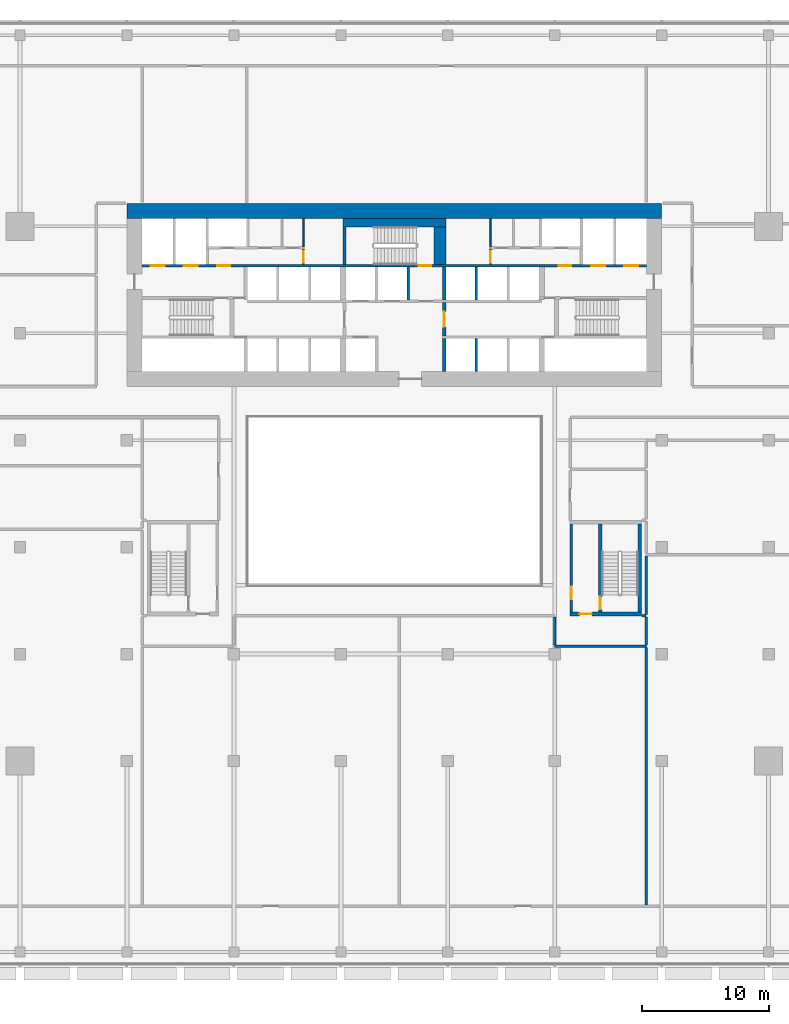
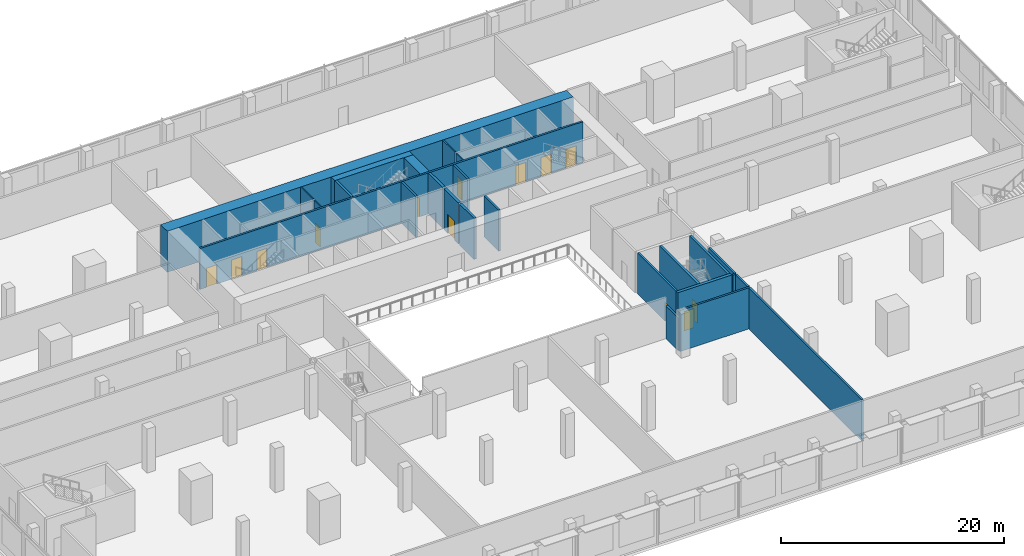
# One storey, part 29 of 39: 25 walls, 13 doors, 13 openings.
"""IFC4 building model written with IfcOpenShell, lengths in metres."""

from ifc_helpers import new_model, si_unit, direction, frame, frame_2d, origin, place, context, subcontext, project, spatial, rectangle, extrude, material, layer, layer_set, type_object, element, fill, save


model = new_model("IFC4")

# Units and contexts
model_context = context("Model", 3, precision=1e-05, world=origin(), true_north=direction((0.0, 1.0)))
body_context = subcontext(model_context, "Body", "Model", "MODEL_VIEW")
ifc_project = project(units=[si_unit("LENGTHUNIT", "METRE"), si_unit("AREAUNIT", "SQUARE_METRE"), si_unit("VOLUMEUNIT", "CUBIC_METRE"), si_unit("PLANEANGLEUNIT", "RADIAN"), si_unit("MASSUNIT", "GRAM", prefix="KILO")], contexts=[model_context])

# Site, building, storey
site_placement = place(None, origin())
site = spatial("IfcSite", under=ifc_project, at=site_placement, CompositionType="ELEMENT")
building_placement = place(site_placement, origin())
building = spatial("IfcBuilding", under=site, at=building_placement, Name="Saffron Gate Tower", CompositionType="ELEMENT")
storey_placement = place(building_placement, frame((0.0, 0.0, 14.39990234375)))
storey = spatial("IfcBuildingStorey", under=building, at=storey_placement, Name="L02", CompositionType="ELEMENT", Elevation=14.39990234375)

# Wall
ifc_material_1 = material(Name="Concrete C70", Category="concrete")
ifc_layer_1 = layer(ifc_material_1, 1.199951171875)
ifc_layer_set_1 = layer_set([ifc_layer_1], Name="CW1 RC core wall 1200 C70")
wall_type_1 = type_object("IfcWallType", Name="CW1 RC core wall 1200 C70", PredefinedType="SOLIDWALL", material=ifc_layer_set_1)
wall_1_placement = place(storey_placement, frame((66.60009765625, 75.0, 0.0), z_axis=(0.0, 0.0, 1.0), x_axis=(1.0, 0.0, 0.0)))
element("IfcWall", 1, at=wall_1_placement, inside=storey, type_object=wall_type_1, Name="Wall CW1-L02-2", PredefinedType="SOLIDWALL", context=body_context, shape_type="SweptSolid", body=[
    extrude(rectangle(XDim=42.0, YDim=1.199951171875, at=frame_2d((21.0, 0.0))), origin(), (0.0, 0.0, 1.0), 4.5),
])

# Wall, opening, door
ifc_material_2 = material(Name="Gypsum board partition on steel studs", Category="steel")
ifc_layer_2 = layer(ifc_material_2, 0.199951171875)
ifc_layer_set_2 = layer_set([ifc_layer_2], Name="CW10 Core partition 200")
wall_type_2 = type_object("IfcWallType", Name="CW10 Core partition 200", PredefinedType="PARTITIONING", material=ifc_layer_set_2)
wall_2_placement = place(storey_placement, frame((101.5, 43.5, 0.0), z_axis=(0.0, 0.0, 1.0), x_axis=(0.0, 1.0, 0.0)))
wall_2 = element("IfcWall", 2, at=wall_2_placement, inside=storey, type_object=wall_type_2, Name="Wall CW10-L02-E-2", PredefinedType="PARTITIONING", context=body_context, shape_type="SweptSolid", body=[
    extrude(rectangle(XDim=6.89990234375, YDim=0.199951171875, at=frame_2d((3.449951171875, 0.0))), origin(), (0.0, 0.0, 1.0), 4.5),
])
opening_1_placement = place(wall_2_placement, frame((1.0, 0.0, 0.0)))
opening_1 = element("IfcOpeningElement", 3, at=opening_1_placement, cuts=wall_2, Name="Opening CR-22", PredefinedType="OPENING", context=body_context, shape_type="SweptSolid", body=[
    extrude(rectangle(XDim=1.0, YDim=2.10009765625, at=frame_2d((0.5, 1.050048828125))), frame((0.0, 0.10986328125, 0.0), z_axis=(0.0, -1.0, 0.0), x_axis=(1.0, 0.0, 0.0)), (0.0, 0.0, 1.0), 0.219970703125),
])
ifc_material_3 = material(Name="Steel fire door set", Category="steel")
door_type_1 = type_object("IfcDoorType", Name="CD4 Lobby door 1000x2100 EI 120", OperationType="NOTDEFINED", PredefinedType="DOOR", material=ifc_material_3)
door_1_placement = place(opening_1_placement, origin())
door_1 = element("IfcDoor", 4, at=door_1_placement, inside=storey, type_object=door_type_1, Name="DOOR CR-22", OperationType="SINGLE_SWING_LEFT", OverallHeight=2.10009765625, OverallWidth=1.0, PredefinedType="DOOR", context=body_context, shape_type="SweptSolid", body=[
    extrude(rectangle(XDim=1.0, YDim=2.10009765625, at=frame_2d((0.5, 1.050048828125))), frame((0.0, 0.02490234375, 0.0), z_axis=(0.0, -1.0, 0.0), x_axis=(1.0, 0.0, 0.0)), (0.0, 0.0, 1.0), 0.050048828125),
])
fill(opening_1, door_1)

# Wall
ifc_layer_3 = layer(ifc_material_1, 0.25)
ifc_layer_set_3 = layer_set([ifc_layer_3], Name="CW2 RC core wall 250 C70")
wall_type_3 = type_object("IfcWallType", Name="CW2 RC core wall 250 C70", PredefinedType="SOLIDWALL", material=ifc_layer_set_3)
wall_3_placement = place(storey_placement, frame((91.52490234375, 62.39990234375, 0.0), z_axis=(0.0, 0.0, 1.0), x_axis=(0.0, 1.0, 0.0)))
element("IfcWall", 5, at=wall_3_placement, inside=storey, type_object=wall_type_3, Name="Wall CW2-L02-10", PredefinedType="SOLIDWALL", context=body_context, shape_type="SweptSolid", body=[
    extrude(rectangle(XDim=2.60009765625, YDim=0.25, at=frame_2d((1.300048828125, 0.0))), origin(), (0.0, 0.0, 1.0), 4.5),
])

# Wall, opening, door
wall_4_placement = place(storey_placement, frame((91.52490234375, 65.199951171875, 0.0), z_axis=(0.0, 0.0, 1.0), x_axis=(0.0, 1.0, 0.0)))
wall_4 = element("IfcWall", 6, at=wall_4_placement, inside=storey, type_object=wall_type_3, Name="Wall CW2-L02-18", PredefinedType="SOLIDWALL", context=body_context, shape_type="SweptSolid", body=[
    extrude(rectangle(XDim=2.60009765625, YDim=0.25, at=frame_2d((1.300048828125, 0.0))), origin(), (0.0, 0.0, 1.0), 4.5),
])
opening_2_placement = place(wall_4_placement, frame((0.699951171875, 0.0, 0.0)))
opening_2 = element("IfcOpeningElement", 7, at=opening_2_placement, cuts=wall_4, Name="Opening CR-01", PredefinedType="OPENING", context=body_context, shape_type="SweptSolid", body=[
    extrude(rectangle(XDim=1.199951171875, YDim=2.10009765625, at=frame_2d((0.60009765625, 1.050048828125))), frame((0.0, 0.135009765625, 0.0), z_axis=(0.0, -1.0, 0.0), x_axis=(1.0, 0.0, 0.0)), (0.0, 0.0, 1.0), 0.27001953125),
])
door_type_2 = type_object("IfcDoorType", Name="CD3 Lobby door 1200x2100 EI 120", OperationType="NOTDEFINED", PredefinedType="DOOR", material=ifc_material_3)
door_2_placement = place(opening_2_placement, origin())
door_2 = element("IfcDoor", 8, at=door_2_placement, inside=storey, type_object=door_type_2, Name="DOOR CR-01", OperationType="SINGLE_SWING_RIGHT", OverallHeight=2.10009765625, OverallWidth=1.199951171875, PredefinedType="DOOR", context=body_context, shape_type="SweptSolid", body=[
    extrude(rectangle(XDim=1.199951171875, YDim=2.10009765625, at=frame_2d((0.60009765625, 1.050048828125))), frame((0.0, 0.02490234375, 0.0), z_axis=(0.0, -1.0, 0.0), x_axis=(1.0, 0.0, 0.0)), (0.0, 0.0, 1.0), 0.050048828125),
])
fill(opening_2, door_2)

# Walls
wall_5_placement = place(storey_placement, frame((91.52490234375, 68.0, 0.0), z_axis=(0.0, 0.0, 1.0), x_axis=(0.0, 1.0, 0.0)))
element("IfcWall", 9, at=wall_5_placement, inside=storey, type_object=wall_type_3, Name="Wall CW2-L02-26", PredefinedType="SOLIDWALL", context=body_context, shape_type="SweptSolid", body=[
    extrude(rectangle(XDim=2.60009765625, YDim=0.25, at=frame_2d((1.300048828125, 0.0))), origin(), (0.0, 0.0, 1.0), 4.5),
])
wall_6_placement = place(storey_placement, frame((83.675048828125, 70.800048828125, 0.0), z_axis=(0.0, 0.0, 1.0), x_axis=(0.0, 1.0, 0.0)))
element("IfcWall", 10, at=wall_6_placement, inside=storey, type_object=wall_type_3, Name="Wall CW2-L02-38", PredefinedType="SOLIDWALL", context=body_context, shape_type="SweptSolid", body=[
    extrude(rectangle(XDim=2.949951171875, YDim=0.25, at=frame_2d((1.47509765625, 0.0))), origin(), (0.0, 0.0, 1.0), 4.5),
])

# Wall, opening, door
wall_7_placement = place(storey_placement, frame((103.77490234375, 43.5, 0.0), z_axis=(0.0, 0.0, 1.0), x_axis=(0.0, 1.0, 0.0)))
wall_7 = element("IfcWall", 11, at=wall_7_placement, inside=storey, type_object=wall_type_3, Name="Wall CW2-L02-E-3", PredefinedType="SOLIDWALL", context=body_context, shape_type="SweptSolid", body=[
    extrude(rectangle(XDim=6.89990234375, YDim=0.25, at=frame_2d((3.449951171875, 0.0))), origin(), (0.0, 0.0, 1.0), 4.5),
])
opening_3_placement = place(wall_7_placement, frame((0.199951171875, 0.0, 0.0)))
opening_3 = element("IfcOpeningElement", 12, at=opening_3_placement, cuts=wall_7, Name="Opening CR-23", PredefinedType="OPENING", context=body_context, shape_type="SweptSolid", body=[
    extrude(rectangle(XDim=1.0, YDim=2.10009765625, at=frame_2d((0.5, 1.050048828125))), frame((0.0, 0.135009765625, 0.0), z_axis=(0.0, -1.0, 0.0), x_axis=(1.0, 0.0, 0.0)), (0.0, 0.0, 1.0), 0.27001953125),
])
door_type_3 = type_object("IfcDoorType", Name="CD5 Stair door 1000x2100 EI 120", OperationType="NOTDEFINED", PredefinedType="DOOR", material=ifc_material_3)
door_3_placement = place(opening_3_placement, origin())
door_3 = element("IfcDoor", 13, at=door_3_placement, inside=storey, type_object=door_type_3, Name="DOOR CR-23", OperationType="SINGLE_SWING_RIGHT", OverallHeight=2.10009765625, OverallWidth=1.0, PredefinedType="DOOR", context=body_context, shape_type="SweptSolid", body=[
    extrude(rectangle(XDim=1.0, YDim=2.10009765625, at=frame_2d((0.5, 1.050048828125))), frame((0.0, 0.02490234375, 0.0), z_axis=(0.0, -1.0, 0.0), x_axis=(1.0, 0.0, 0.0)), (0.0, 0.0, 1.0), 0.050048828125),
])
fill(opening_3, door_3)

# Walls
wall_8_placement = place(storey_placement, frame((106.875, 43.5, 0.0), z_axis=(0.0, 0.0, 1.0), x_axis=(0.0, 1.0, 0.0)))
element("IfcWall", 14, at=wall_8_placement, inside=storey, type_object=wall_type_3, Name="Wall CW2-L02-E-4", PredefinedType="SOLIDWALL", context=body_context, shape_type="SweptSolid", body=[
    extrude(rectangle(XDim=6.89990234375, YDim=0.25, at=frame_2d((3.449951171875, 0.0))), origin(), (0.0, 0.0, 1.0), 4.5),
])
ifc_layer_4 = layer(ifc_material_1, 0.199951171875)
ifc_layer_set_4 = layer_set([ifc_layer_4], Name="CW3 RC core wall 200 C70")
wall_type_4 = type_object("IfcWallType", Name="CW3 RC core wall 200 C70", PredefinedType="SOLIDWALL", material=ifc_layer_set_4)
for number, where, z_axis, x_axis, name in (
    (15, (94.050048828125, 62.39990234375, 0.0), (0.0, 0.0, 1.0), (0.0, 1.0, 0.0), "Wall CW3-L02-11"),
    (16, (88.699951171875, 68.0, 0.0), (0.0, 0.0, 1.0), (0.0, 1.0, 0.0), "Wall CW3-L02-25"),
    (17, (94.050048828125, 68.0, 0.0), (0.0, 0.0, 1.0), (0.0, 1.0, 0.0), "Wall CW3-L02-27"),
):
    element("IfcWall", number, at=place(storey_placement, frame(where, z_axis=z_axis, x_axis=x_axis)), inside=storey, type_object=wall_type_4, Name=name, PredefinedType="SOLIDWALL", context=body_context, shape_type="SweptSolid", body=[
        extrude(rectangle(XDim=2.60009765625, YDim=0.199951171875, at=frame_2d((1.300048828125, 0.0))), origin(), (0.0, 0.0, 1.0), 4.5),
    ])

# Wall, openings, doors
wall_9_placement = place(storey_placement, frame((67.800048828125, 70.699951171875, 0.0), z_axis=(0.0, 0.0, 1.0), x_axis=(1.0, 0.0, 0.0)))
wall_9 = element("IfcWall", 18, at=wall_9_placement, inside=storey, type_object=wall_type_4, Name="Wall CW3-L02-34", PredefinedType="SOLIDWALL", context=body_context, shape_type="SweptSolid", body=[
    extrude(rectangle(XDim=39.599853515625, YDim=0.199951171875, at=frame_2d((19.7998046875, 0.0))), origin(), (0.0, 0.0, 1.0), 4.5),
])
opening_4_placement = place(wall_9_placement, frame((0.64990234375, 0.0, 0.0)))
opening_4 = element("IfcOpeningElement", 19, at=opening_4_placement, cuts=wall_9, Name="Opening LD-FF1", PredefinedType="OPENING", context=body_context, shape_type="SweptSolid", body=[
    extrude(rectangle(XDim=1.10009765625, YDim=2.10009765625, at=frame_2d((0.550048828125, 1.050048828125))), frame((0.0, 0.10986328125, 0.0), z_axis=(0.0, -1.0, 0.0), x_axis=(1.0, 0.0, 0.0)), (0.0, 0.0, 1.0), 0.219970703125),
])
opening_5_placement = place(wall_9_placement, frame((3.25, 0.0, 0.0)))
opening_5 = element("IfcOpeningElement", 20, at=opening_5_placement, cuts=wall_9, Name="Opening LD-SV1", PredefinedType="OPENING", context=body_context, shape_type="SweptSolid", body=[
    extrude(rectangle(XDim=1.10009765625, YDim=2.10009765625, at=frame_2d((0.550048828125, 1.050048828125))), frame((0.0, 0.10986328125, 0.0), z_axis=(0.0, -1.0, 0.0), x_axis=(1.0, 0.0, 0.0)), (0.0, 0.0, 1.0), 0.219970703125),
])
opening_6_placement = place(wall_9_placement, frame((5.89990234375, 0.0, 0.0)))
opening_6 = element("IfcOpeningElement", 21, at=opening_6_placement, cuts=wall_9, Name="Opening CR-03", PredefinedType="OPENING", context=body_context, shape_type="SweptSolid", body=[
    extrude(rectangle(XDim=1.0, YDim=2.10009765625, at=frame_2d((0.5, 1.050048828125))), frame((0.0, 0.10986328125, 0.0), z_axis=(0.0, -1.0, 0.0), x_axis=(1.0, 0.0, 0.0)), (0.0, 0.0, 1.0), 0.219970703125),
])
opening_7_placement = place(wall_9_placement, frame((21.699951171875, 0.0, 0.0)))
opening_7 = element("IfcOpeningElement", 22, at=opening_7_placement, cuts=wall_9, Name="Opening CR-17", PredefinedType="OPENING", context=body_context, shape_type="SweptSolid", body=[
    extrude(rectangle(XDim=1.0, YDim=2.10009765625, at=frame_2d((0.5, 1.050048828125))), frame((0.0, 0.10986328125, 0.0), z_axis=(0.0, -1.0, 0.0), x_axis=(1.0, 0.0, 0.0)), (0.0, 0.0, 1.0), 0.219970703125),
])
opening_8_placement = place(wall_9_placement, frame((32.699951171875, 0.0, 0.0)))
opening_8 = element("IfcOpeningElement", 23, at=opening_8_placement, cuts=wall_9, Name="Opening CR-04", PredefinedType="OPENING", context=body_context, shape_type="SweptSolid", body=[
    extrude(rectangle(XDim=1.0, YDim=2.10009765625, at=frame_2d((0.5, 1.050048828125))), frame((0.0, 0.10986328125, 0.0), z_axis=(0.0, -1.0, 0.0), x_axis=(1.0, 0.0, 0.0)), (0.0, 0.0, 1.0), 0.219970703125),
])
opening_9_placement = place(wall_9_placement, frame((35.25, 0.0, 0.0)))
opening_9 = element("IfcOpeningElement", 24, at=opening_9_placement, cuts=wall_9, Name="Opening LD-SV2", PredefinedType="OPENING", context=body_context, shape_type="SweptSolid", body=[
    extrude(rectangle(XDim=1.10009765625, YDim=2.10009765625, at=frame_2d((0.550048828125, 1.050048828125))), frame((0.0, 0.10986328125, 0.0), z_axis=(0.0, -1.0, 0.0), x_axis=(1.0, 0.0, 0.0)), (0.0, 0.0, 1.0), 0.219970703125),
])
opening_10_placement = place(wall_9_placement, frame((37.85009765625, 0.0, 0.0)))
opening_10 = element("IfcOpeningElement", 25, at=opening_10_placement, cuts=wall_9, Name="Opening LD-FF2", PredefinedType="OPENING", context=body_context, shape_type="SweptSolid", body=[
    extrude(rectangle(XDim=1.10009765625, YDim=2.10009765625, at=frame_2d((0.550048828125, 1.050048828125))), frame((0.0, 0.10986328125, 0.0), z_axis=(0.0, -1.0, 0.0), x_axis=(1.0, 0.0, 0.0)), (0.0, 0.0, 1.0), 0.219970703125),
])
door_4_placement = place(opening_6_placement, origin())
door_4 = element("IfcDoor", 26, at=door_4_placement, inside=storey, type_object=door_type_1, Name="DOOR CR-03", OperationType="SINGLE_SWING_LEFT", OverallHeight=2.10009765625, OverallWidth=1.0, PredefinedType="DOOR", context=body_context, shape_type="SweptSolid", body=[
    extrude(rectangle(XDim=1.0, YDim=2.10009765625, at=frame_2d((0.5, 1.050048828125))), frame((0.0, 0.02490234375, 0.0), z_axis=(0.0, -1.0, 0.0), x_axis=(1.0, 0.0, 0.0)), (0.0, 0.0, 1.0), 0.050048828125),
])
fill(opening_6, door_4)
door_5_placement = place(opening_8_placement, origin())
door_5 = element("IfcDoor", 27, at=door_5_placement, inside=storey, type_object=door_type_1, Name="DOOR CR-04", OperationType="SINGLE_SWING_RIGHT", OverallHeight=2.10009765625, OverallWidth=1.0, PredefinedType="DOOR", context=body_context, shape_type="SweptSolid", body=[
    extrude(rectangle(XDim=1.0, YDim=2.10009765625, at=frame_2d((0.5, 1.050048828125))), frame((0.0, 0.02490234375, 0.0), z_axis=(0.0, -1.0, 0.0), x_axis=(1.0, 0.0, 0.0)), (0.0, 0.0, 1.0), 0.050048828125),
])
fill(opening_8, door_5)
door_6_placement = place(opening_7_placement, origin())
door_6 = element("IfcDoor", 28, at=door_6_placement, inside=storey, type_object=door_type_3, Name="DOOR CR-17", OperationType="SINGLE_SWING_RIGHT", OverallHeight=2.10009765625, OverallWidth=1.0, PredefinedType="DOOR", context=body_context, shape_type="SweptSolid", body=[
    extrude(rectangle(XDim=1.0, YDim=2.10009765625, at=frame_2d((0.5, 1.050048828125))), frame((0.0, 0.02490234375, 0.0), z_axis=(0.0, -1.0, 0.0), x_axis=(1.0, 0.0, 0.0)), (0.0, 0.0, 1.0), 0.050048828125),
])
fill(opening_7, door_6)
ifc_material_4 = material(Name="Stainless steel landing door", Category="steel")
door_type_4 = type_object("IfcDoorType", Name="LD Lift landing door 1100x2100 EI 120", OperationType="SLIDING_TO_LEFT", PredefinedType="DOOR", material=ifc_material_4)
door_7_placement = place(opening_4_placement, origin())
door_7 = element("IfcDoor", 29, at=door_7_placement, inside=storey, type_object=door_type_4, Name="LANDING DOOR LD-FF1", OperationType="SLIDING_TO_RIGHT", OverallHeight=2.10009765625, OverallWidth=1.10009765625, PredefinedType="DOOR", context=body_context, shape_type="SweptSolid", body=[
    extrude(rectangle(XDim=1.10009765625, YDim=2.10009765625, at=frame_2d((0.550048828125, 1.050048828125))), frame((0.0, 0.02490234375, 0.0), z_axis=(0.0, -1.0, 0.0), x_axis=(1.0, 0.0, 0.0)), (0.0, 0.0, 1.0), 0.050048828125),
])
fill(opening_4, door_7)
door_8_placement = place(opening_5_placement, origin())
door_8 = element("IfcDoor", 30, at=door_8_placement, inside=storey, type_object=door_type_4, Name="LANDING DOOR LD-SV1", OperationType="SLIDING_TO_RIGHT", OverallHeight=2.10009765625, OverallWidth=1.10009765625, PredefinedType="DOOR", context=body_context, shape_type="SweptSolid", body=[
    extrude(rectangle(XDim=1.10009765625, YDim=2.10009765625, at=frame_2d((0.550048828125, 1.050048828125))), frame((0.0, 0.02490234375, 0.0), z_axis=(0.0, -1.0, 0.0), x_axis=(1.0, 0.0, 0.0)), (0.0, 0.0, 1.0), 0.050048828125),
])
fill(opening_5, door_8)
door_9_placement = place(opening_9_placement, origin())
door_9 = element("IfcDoor", 31, at=door_9_placement, inside=storey, type_object=door_type_4, Name="LANDING DOOR LD-SV2", OperationType="SLIDING_TO_RIGHT", OverallHeight=2.10009765625, OverallWidth=1.10009765625, PredefinedType="DOOR", context=body_context, shape_type="SweptSolid", body=[
    extrude(rectangle(XDim=1.10009765625, YDim=2.10009765625, at=frame_2d((0.550048828125, 1.050048828125))), frame((0.0, 0.02490234375, 0.0), z_axis=(0.0, -1.0, 0.0), x_axis=(1.0, 0.0, 0.0)), (0.0, 0.0, 1.0), 0.050048828125),
])
fill(opening_9, door_9)
door_10_placement = place(opening_10_placement, origin())
door_10 = element("IfcDoor", 32, at=door_10_placement, inside=storey, type_object=door_type_4, Name="LANDING DOOR LD-FF2", OperationType="SLIDING_TO_RIGHT", OverallHeight=2.10009765625, OverallWidth=1.10009765625, PredefinedType="DOOR", context=body_context, shape_type="SweptSolid", body=[
    extrude(rectangle(XDim=1.10009765625, YDim=2.10009765625, at=frame_2d((0.550048828125, 1.050048828125))), frame((0.0, 0.02490234375, 0.0), z_axis=(0.0, -1.0, 0.0), x_axis=(1.0, 0.0, 0.0)), (0.0, 0.0, 1.0), 0.050048828125),
])
fill(opening_10, door_10)

# Wall, opening, door
ifc_layer_5 = layer(ifc_material_1, 0.300048828125)
ifc_layer_set_5 = layer_set([ifc_layer_5], Name="CW5 RC core wall 300 C70")
wall_type_5 = type_object("IfcWallType", Name="CW5 RC core wall 300 C70", PredefinedType="SOLIDWALL", material=ifc_layer_set_5)
wall_10_placement = place(storey_placement, frame((101.39990234375, 43.35009765625, 0.0), z_axis=(0.0, 0.0, 1.0), x_axis=(1.0, 0.0, 0.0)))
wall_10 = element("IfcWall", 33, at=wall_10_placement, inside=storey, type_object=wall_type_5, Name="Wall CW5-L02-E-1", PredefinedType="SOLIDWALL", context=body_context, shape_type="SweptSolid", body=[
    extrude(rectangle(XDim=5.60009765625, YDim=0.300048828125, at=frame_2d((2.800048828125, 0.0))), origin(), (0.0, 0.0, 1.0), 4.5),
])
opening_11_placement = place(wall_10_placement, frame((0.72509765625, 0.0, 0.0)))
opening_11 = element("IfcOpeningElement", 34, at=opening_11_placement, cuts=wall_10, Name="Opening CR-21", PredefinedType="OPENING", context=body_context, shape_type="SweptSolid", body=[
    extrude(rectangle(XDim=1.0, YDim=2.10009765625, at=frame_2d((0.5, 1.050048828125))), frame((0.0, 0.16015625, 0.0), z_axis=(0.0, -1.0, 0.0), x_axis=(1.0, 0.0, 0.0)), (0.0, 0.0, 1.0), 0.320068359375),
])
door_11_placement = place(opening_11_placement, origin())
door_11 = element("IfcDoor", 35, at=door_11_placement, inside=storey, type_object=door_type_1, Name="DOOR CR-21", OperationType="SINGLE_SWING_RIGHT", OverallHeight=2.10009765625, OverallWidth=1.0, PredefinedType="DOOR", context=body_context, shape_type="SweptSolid", body=[
    extrude(rectangle(XDim=1.0, YDim=2.10009765625, at=frame_2d((0.5, 1.050048828125))), frame((0.0, 0.02490234375, 0.0), z_axis=(0.0, -1.0, 0.0), x_axis=(1.0, 0.0, 0.0)), (0.0, 0.0, 1.0), 0.050048828125),
])
fill(opening_11, door_11)

# Wall
ifc_layer_6 = layer(ifc_material_1, 0.949951171875)
ifc_layer_set_6 = layer_set([ifc_layer_6], Name="CW7 RC core wall 950 C70")
wall_type_6 = type_object("IfcWallType", Name="CW7 RC core wall 950 C70", PredefinedType="SOLIDWALL", material=ifc_layer_set_6)
wall_11_placement = place(storey_placement, frame((91.175048828125, 70.800048828125, 0.0), z_axis=(0.0, 0.0, 1.0), x_axis=(0.0, 1.0, 0.0)))
element("IfcWall", 36, at=wall_11_placement, inside=storey, type_object=wall_type_6, Name="Wall CW7-L02-39", PredefinedType="SOLIDWALL", context=body_context, shape_type="SweptSolid", body=[
    extrude(rectangle(XDim=2.949951171875, YDim=0.949951171875, at=frame_2d((1.47509765625, 0.0))), origin(), (0.0, 0.0, 1.0), 4.5),
])

# Wall, opening, door
ifc_layer_7 = layer(ifc_material_2, 0.1201171875)
ifc_layer_set_7 = layer_set([ifc_layer_7], Name="CW8 Core partition 120")
wall_type_7 = type_object("IfcWallType", Name="CW8 Core partition 120", PredefinedType="PARTITIONING", material=ifc_layer_set_7)
wall_12_placement = place(storey_placement, frame((80.4599609375, 70.800048828125, 0.0), z_axis=(0.0, 0.0, 1.0), x_axis=(0.0, 1.0, 0.0)))
wall_12 = element("IfcWall", 37, at=wall_12_placement, inside=storey, type_object=wall_type_7, Name="Wall CW8-L02-37", PredefinedType="PARTITIONING", context=body_context, shape_type="SweptSolid", body=[
    extrude(rectangle(XDim=1.199951171875, YDim=0.1201171875, at=frame_2d((0.60009765625, 0.0))), origin(), (0.0, 0.0, 1.0), 4.5),
])
opening_12_placement = place(wall_12_placement, frame((0.14990234375, 0.0, 0.0)))
opening_12 = element("IfcOpeningElement", 38, at=opening_12_placement, cuts=wall_12, Name="Opening CR-60", PredefinedType="OPENING", context=body_context, shape_type="SweptSolid", body=[
    extrude(rectangle(XDim=0.89990234375, YDim=2.10009765625, at=frame_2d((0.449951171875, 1.050048828125))), frame((0.0, 0.070068359375, 0.0), z_axis=(0.0, -1.0, 0.0), x_axis=(1.0, 0.0, 0.0)), (0.0, 0.0, 1.0), 0.14013671875),
])
door_type_5 = type_object("IfcDoorType", Name="CD9 Room door 900x2100 EI 60", OperationType="NOTDEFINED", PredefinedType="DOOR", material=ifc_material_3)
door_12_placement = place(opening_12_placement, origin())
door_12 = element("IfcDoor", 39, at=door_12_placement, inside=storey, type_object=door_type_5, Name="DOOR CR-60", OperationType="SINGLE_SWING_RIGHT", OverallHeight=2.10009765625, OverallWidth=0.89990234375, PredefinedType="DOOR", context=body_context, shape_type="SweptSolid", body=[
    extrude(rectangle(XDim=0.89990234375, YDim=2.10009765625, at=frame_2d((0.449951171875, 1.050048828125))), frame((0.0, 0.02490234375, 0.0), z_axis=(0.0, -1.0, 0.0), x_axis=(1.0, 0.0, 0.0)), (0.0, 0.0, 1.0), 0.050048828125),
])
fill(opening_12, door_12)

wall_13_placement = place(storey_placement, frame((95.139892578125, 70.800048828125, 0.0), z_axis=(0.0, 0.0, 1.0), x_axis=(0.0, 1.0, 0.0)))
wall_13 = element("IfcWall", 40, at=wall_13_placement, inside=storey, type_object=wall_type_7, Name="Wall CW8-L02-40", PredefinedType="PARTITIONING", context=body_context, shape_type="SweptSolid", body=[
    extrude(rectangle(XDim=1.199951171875, YDim=0.1201171875, at=frame_2d((0.60009765625, 0.0))), origin(), (0.0, 0.0, 1.0), 4.5),
])
opening_13_placement = place(wall_13_placement, frame((0.14990234375, 0.0, 0.0)))
opening_13 = element("IfcOpeningElement", 41, at=opening_13_placement, cuts=wall_13, Name="Opening CR-54", PredefinedType="OPENING", context=body_context, shape_type="SweptSolid", body=[
    extrude(rectangle(XDim=0.89990234375, YDim=2.10009765625, at=frame_2d((0.449951171875, 1.050048828125))), frame((0.0, 0.070068359375, 0.0), z_axis=(0.0, -1.0, 0.0), x_axis=(1.0, 0.0, 0.0)), (0.0, 0.0, 1.0), 0.14013671875),
])
door_13_placement = place(opening_13_placement, origin())
door_13 = element("IfcDoor", 42, at=door_13_placement, inside=storey, type_object=door_type_5, Name="DOOR CR-54", OperationType="SINGLE_SWING_LEFT", OverallHeight=2.10009765625, OverallWidth=0.89990234375, PredefinedType="DOOR", context=body_context, shape_type="SweptSolid", body=[
    extrude(rectangle(XDim=0.89990234375, YDim=2.10009765625, at=frame_2d((0.449951171875, 1.050048828125))), frame((0.0, 0.02490234375, 0.0), z_axis=(0.0, -1.0, 0.0), x_axis=(1.0, 0.0, 0.0)), (0.0, 0.0, 1.0), 0.050048828125),
])
fill(opening_13, door_13)

# Walls
for number, where, z_axis, x_axis, name in (
    (43, (80.4599609375, 72.199951171875, 0.0), (0.0, 0.0, 1.0), (0.0, 1.0, 0.0), "Wall CW8-L02-48"),
    (44, (95.139892578125, 72.199951171875, 0.0), (0.0, 0.0, 1.0), (0.0, 1.0, 0.0), "Wall CW8-L02-49"),
):
    element("IfcWall", number, at=place(storey_placement, frame(where, z_axis=z_axis, x_axis=x_axis)), inside=storey, type_object=wall_type_7, Name=name, PredefinedType="PARTITIONING", context=body_context, shape_type="SweptSolid", body=[
        extrude(rectangle(XDim=2.199951171875, YDim=0.1201171875, at=frame_2d((1.10009765625, 0.0))), origin(), (0.0, 0.0, 1.0), 4.5),
    ])
ifc_layer_8 = layer(ifc_material_1, 0.64990234375)
ifc_layer_set_8 = layer_set([ifc_layer_8], Name="CW9 RC core wall 650 C70")
wall_type_8 = type_object("IfcWallType", Name="CW9 RC core wall 650 C70", PredefinedType="SOLIDWALL", material=ifc_layer_set_8)
wall_14_placement = place(storey_placement, frame((83.550048828125, 74.074951171875, 0.0), z_axis=(0.0, 0.0, 1.0), x_axis=(1.0, 0.0, 0.0)))
element("IfcWall", 45, at=wall_14_placement, inside=storey, type_object=wall_type_8, Name="Wall CW9-L02-53", PredefinedType="SOLIDWALL", context=body_context, shape_type="SweptSolid", body=[
    extrude(rectangle(XDim=8.099853515625, YDim=0.64990234375, at=frame_2d((4.0498046875, 0.0))), origin(), (0.0, 0.0, 1.0), 4.5),
])
ifc_material_5 = material(Name="Clay brick masonry, rendered", Category="masonry")
ifc_layer_9 = layer(ifc_material_5, 0.199951171875)
ifc_layer_set_9 = layer_set([ifc_layer_9], Name="PW3 Corridor wall 200")
wall_type_9 = type_object("IfcWallType", Name="PW3 Corridor wall 200", PredefinedType="PARTITIONING", material=ifc_layer_set_9)
wall_15_placement = place(storey_placement, frame((100.199951171875, 40.800048828125, 0.0), z_axis=(0.0, 0.0, 1.0), x_axis=(1.0, 0.0, 0.0)))
element("IfcWall", 46, at=wall_15_placement, inside=storey, type_object=wall_type_9, Name="Wall P2-5", PredefinedType="PARTITIONING", context=body_context, shape_type="SweptSolid", body=[
    extrude(rectangle(XDim=7.199951171875, YDim=0.199951171875, at=frame_2d((3.60009765625, 0.0))), origin(), (0.0, 0.0, 1.0), 4.5),
])
wall_16_placement = place(storey_placement, frame((100.199951171875, 43.10009765625, 0.0), z_axis=(0.0, 0.0, 1.0), x_axis=(0.0, -1.0, 0.0)))
element("IfcWall", 47, at=wall_16_placement, inside=storey, type_object=wall_type_9, Name="Wall P2-59", PredefinedType="PARTITIONING", context=body_context, shape_type="SweptSolid", body=[
    extrude(rectangle(XDim=2.2001953125, YDim=0.199951171875, at=frame_2d((1.10009765625, 0.0))), origin(), (0.0, 0.0, 1.0), 3.60009765625),
])
wall_17_placement = place(storey_placement, frame((107.39990234375, 43.10009765625, 0.0), z_axis=(0.0, 0.0, 1.0), x_axis=(0.0, -1.0, 0.0)))
element("IfcWall", 48, at=wall_17_placement, inside=storey, type_object=wall_type_9, Name="Wall P2-62", PredefinedType="PARTITIONING", context=body_context, shape_type="SweptSolid", body=[
    extrude(rectangle(XDim=2.2001953125, YDim=0.199951171875, at=frame_2d((1.10009765625, 0.0))), origin(), (0.0, 0.0, 1.0), 4.5),
])
ifc_layer_10 = layer(ifc_material_5, 0.199951171875)
ifc_layer_set_10 = layer_set([ifc_layer_10], Name="PW5 Room wall 200")
wall_type_10 = type_object("IfcWallType", Name="PW5 Room wall 200", PredefinedType="PARTITIONING", material=ifc_layer_set_10)
wall_18_placement = place(storey_placement, frame((107.050048828125, 43.199951171875, 0.0), z_axis=(0.0, 0.0, 1.0), x_axis=(1.0, 0.0, 0.0)))
element("IfcWall", 49, at=wall_18_placement, inside=storey, type_object=wall_type_10, Name="Wall P2-8", PredefinedType="PARTITIONING", context=body_context, shape_type="SweptSolid", body=[
    extrude(rectangle(XDim=0.329833984375, YDim=0.199951171875, at=frame_2d((0.1650390625, 0.0))), origin(), (0.0, 0.0, 1.0), 4.5),
])
wall_19_placement = place(storey_placement, frame((107.39990234375, 47.89990234375, 0.0), z_axis=(0.0, 0.0, 1.0), x_axis=(0.0, -1.0, 0.0)))
element("IfcWall", 50, at=wall_19_placement, inside=storey, type_object=wall_type_10, Name="Wall P2-63", PredefinedType="PARTITIONING", context=body_context, shape_type="SweptSolid", body=[
    extrude(rectangle(XDim=4.599853515625, YDim=0.199951171875, at=frame_2d((2.2998046875, 0.0))), origin(), (0.0, 0.0, 1.0), 4.5),
])
wall_20_placement = place(storey_placement, frame((107.39990234375, 40.699951171875, 0.0), z_axis=(0.0, 0.0, 1.0), x_axis=(0.0, -1.0, 0.0)))
element("IfcWall", 51, at=wall_20_placement, inside=storey, type_object=wall_type_10, Name="Wall P2-67", PredefinedType="PARTITIONING", context=body_context, shape_type="SweptSolid", body=[
    extrude(rectangle(XDim=20.199951171875, YDim=0.199951171875, at=frame_2d((10.10009765625, 0.0))), origin(), (0.0, 0.0, 1.0), 4.5),
])

save(model, "model.ifc")
